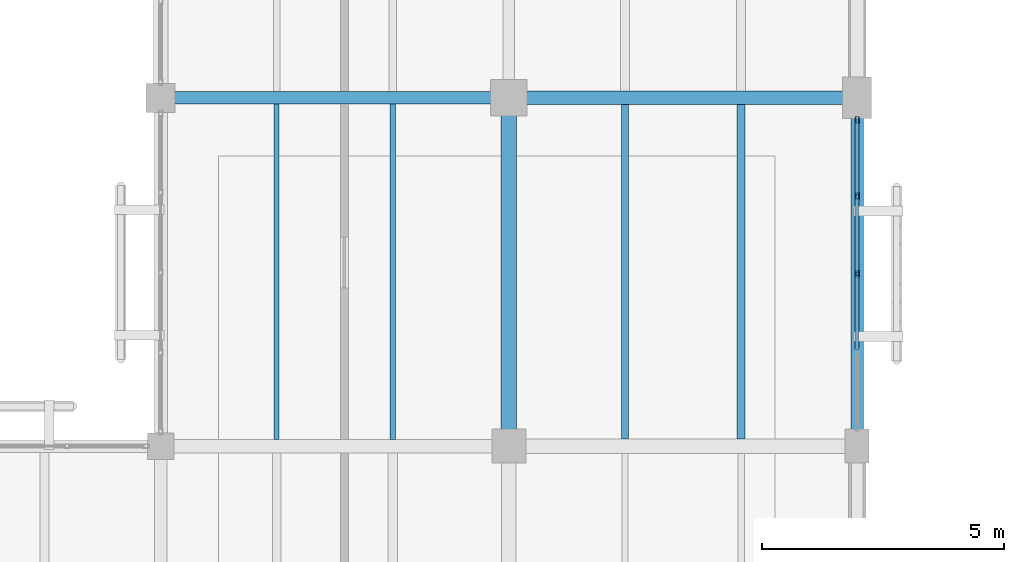
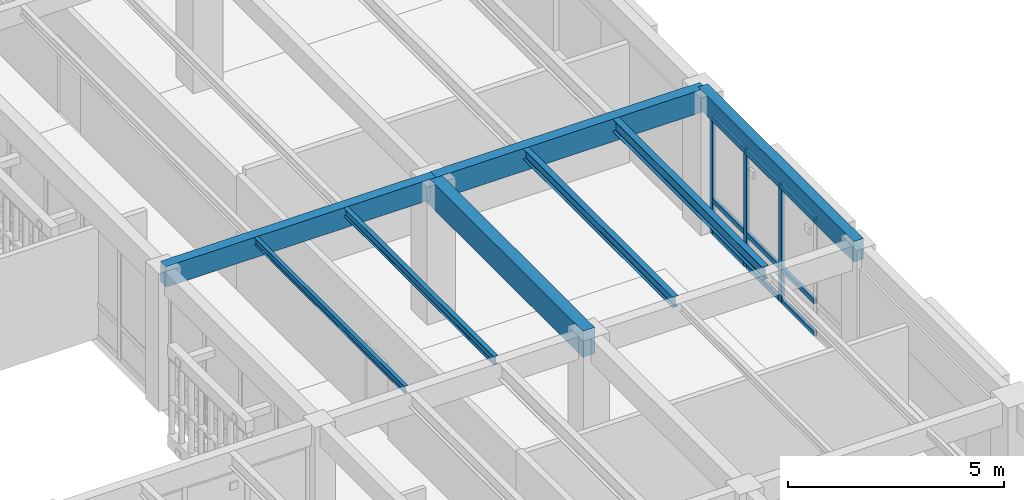
# One storey, part 39 of 170: 12 members, 8 beams, 1 element without a shape of its own.
"""IFC4 building model written with IfcOpenShell, lengths in metres."""

from ifc_helpers import new_model, si_unit, direction, frame, origin, origin_2d, place, context, subcontext, project, spatial, rectangle, hollow_rectangle, i_section, extrude, material, layer, layer_set, material_profile, profile_set, type_object, element, aggregate, save


model = new_model("IFC4")

# Units and contexts
model_context = context("Model", 3, precision=1e-05, world=origin(), true_north=direction((0.0, 1.0)))
body_context = subcontext(model_context, "Body", "Model", "MODEL_VIEW")
ifc_project = project(units=[si_unit("LENGTHUNIT", "METRE"), si_unit("AREAUNIT", "SQUARE_METRE"), si_unit("VOLUMEUNIT", "CUBIC_METRE"), si_unit("PLANEANGLEUNIT", "RADIAN"), si_unit("MASSUNIT", "GRAM", prefix="KILO")], contexts=[model_context])

# Site, building, storey
site_placement = place(None, origin())
site = spatial("IfcSite", under=ifc_project, at=site_placement, CompositionType="ELEMENT")
building_placement = place(site_placement, origin())
building = spatial("IfcBuilding", under=site, at=building_placement, Name="Mazaris Harbour Polytechnic", CompositionType="ELEMENT")
storey_placement = place(building_placement, frame((0.0, 0.0, 5.39990234375)))
storey = spatial("IfcBuildingStorey", under=building, at=storey_placement, Name="L01", CompositionType="ELEMENT", Elevation=5.39990234375)

# Curtain wall, members
ifc_material_1 = material(Name="Anodised Bronze Aluminium and Low-E Glass", Category="aluminium")
ifc_layer = layer(ifc_material_1, 0.159912109375, Name="Anodised Bronze Aluminium and Low-E Glass")
ifc_layer_set = layer_set([ifc_layer], Name="Anodised Bronze Aluminium and Low-E Glass")
curtain_wall_type = type_object("IfcCurtainWallType", Name="Cloister Court Curtain Wall", PredefinedType="NOTDEFINED", material=ifc_layer_set)
curtain_wall_placement = place(storey_placement, origin())
curtain_wall = element("IfcCurtainWall", 1, at=curtain_wall_placement, inside=storey, type_object=curtain_wall_type, Name="V4 L01 Curtain Wall 112", PredefinedType="NOTDEFINED")
ifc_material_2 = material(Name="Anodised Bronze Steel S355", Category="steel")
ifc_material_profile_1 = material_profile(ifc_material_2, hollow_rectangle(XDim=0.080078125, YDim=0.139892578125, WallThickness=0.00634765625, at=origin_2d()), Name="RHS 80x140x6.3")
ifc_profile_set_1 = profile_set([ifc_material_profile_1], Name="Anodised Bronze Steel S355")
member_type_1 = type_object("IfcMemberType", Name="Curtain Mullion RHS80x140", PredefinedType="MULLION", material=ifc_profile_set_1)
member_1_placement = place(storey_placement, frame((43.199951171875, 42.742919921875, 0.0), z_axis=(0.0, 0.0, 1.0), x_axis=(1.0, 0.0, 0.0)))
member_1 = element("IfcMember", 2, at=member_1_placement, type_object=member_type_1, Name="CW-02 mullion 1", PredefinedType="MULLION", context=body_context, shape_type="SweptSolid", body=[
    extrude(hollow_rectangle(XDim=0.080078125, YDim=0.139892578125, WallThickness=0.00634765625, at=origin_2d()), origin(), (0.0, 0.0, 1.0), 3.300048828125),
])
member_2_placement = place(storey_placement, frame((43.199951171875, 41.1728515625, 0.0), z_axis=(0.0, 0.0, 1.0), x_axis=(1.0, 0.0, 0.0)))
member_2 = element("IfcMember", 3, at=member_2_placement, type_object=member_type_1, Name="CW-02 mullion 2", PredefinedType="MULLION", context=body_context, shape_type="SweptSolid", body=[
    extrude(hollow_rectangle(XDim=0.080078125, YDim=0.139892578125, WallThickness=0.00634765625, at=origin_2d()), origin(), (0.0, 0.0, 1.0), 3.300048828125),
])
member_3_placement = place(storey_placement, frame((43.199951171875, 39.5625, 0.0), z_axis=(0.0, 0.0, 1.0), x_axis=(1.0, 0.0, 0.0)))
member_3 = element("IfcMember", 4, at=member_3_placement, type_object=member_type_1, Name="CW-02 mullion 3", PredefinedType="MULLION", context=body_context, shape_type="SweptSolid", body=[
    extrude(hollow_rectangle(XDim=0.080078125, YDim=0.139892578125, WallThickness=0.00634765625, at=origin_2d()), origin(), (0.0, 0.0, 1.0), 3.300048828125),
])
ifc_material_3 = material(Name="Anodised Bronze Steel S355", Category="steel")
ifc_material_profile_2 = material_profile(ifc_material_3, hollow_rectangle(XDim=0.080078125, YDim=0.139892578125, WallThickness=0.00634765625, at=origin_2d()), Name="RHS 80x140x6.3")
ifc_profile_set_2 = profile_set([ifc_material_profile_2], Name="Anodised Bronze Steel S355")
member_type_2 = type_object("IfcMemberType", Name="Curtain Transom RHS80x140", PredefinedType="USERDEFINED", material=ifc_profile_set_2)
member_4_placement = place(storey_placement, frame((43.199951171875, 42.702880859375, 0.0400390625), z_axis=(0.0, -1.0, 0.0), x_axis=(1.0, 0.0, 0.0)))
member_4 = element("IfcMember", 5, at=member_4_placement, type_object=member_type_2, Name="CW-02 transom 1.1", ObjectType="TRANSOM", PredefinedType="USERDEFINED", context=body_context, shape_type="SweptSolid", body=[
    extrude(hollow_rectangle(XDim=0.080078125, YDim=0.139892578125, WallThickness=0.00634765625, at=origin_2d()), origin(), (0.0, 0.0, 1.0), 1.490234375),
])
member_5_placement = place(storey_placement, frame((43.199951171875, 42.702880859375, 0.9501953125), z_axis=(0.0, -1.0, 0.0), x_axis=(1.0, 0.0, 0.0)))
member_5 = element("IfcMember", 6, at=member_5_placement, type_object=member_type_2, Name="CW-02 transom 1.2", ObjectType="TRANSOM", PredefinedType="USERDEFINED", context=body_context, shape_type="SweptSolid", body=[
    extrude(hollow_rectangle(XDim=0.080078125, YDim=0.139892578125, WallThickness=0.00634765625, at=origin_2d()), origin(), (0.0, 0.0, 1.0), 1.490234375),
])
member_6_placement = place(storey_placement, frame((43.199951171875, 42.702880859375, 3.260009765625), z_axis=(0.0, -1.0, 0.0), x_axis=(1.0, 0.0, 0.0)))
member_6 = element("IfcMember", 7, at=member_6_placement, type_object=member_type_2, Name="CW-02 transom 1.3", ObjectType="TRANSOM", PredefinedType="USERDEFINED", context=body_context, shape_type="SweptSolid", body=[
    extrude(hollow_rectangle(XDim=0.080078125, YDim=0.139892578125, WallThickness=0.00634765625, at=origin_2d()), origin(), (0.0, 0.0, 1.0), 1.490234375),
])
member_7_placement = place(storey_placement, frame((43.199951171875, 41.1328125, 0.0400390625), z_axis=(0.0, -1.0, 0.0), x_axis=(1.0, 0.0, 0.0)))
member_7 = element("IfcMember", 8, at=member_7_placement, type_object=member_type_2, Name="CW-02 transom 2.1", ObjectType="TRANSOM", PredefinedType="USERDEFINED", context=body_context, shape_type="SweptSolid", body=[
    extrude(hollow_rectangle(XDim=0.080078125, YDim=0.139892578125, WallThickness=0.00634765625, at=origin_2d()), origin(), (0.0, 0.0, 1.0), 1.5302734375),
])
member_8_placement = place(storey_placement, frame((43.199951171875, 41.1328125, 0.9501953125), z_axis=(0.0, -1.0, 0.0), x_axis=(1.0, 0.0, 0.0)))
member_8 = element("IfcMember", 9, at=member_8_placement, type_object=member_type_2, Name="CW-02 transom 2.2", ObjectType="TRANSOM", PredefinedType="USERDEFINED", context=body_context, shape_type="SweptSolid", body=[
    extrude(hollow_rectangle(XDim=0.080078125, YDim=0.139892578125, WallThickness=0.00634765625, at=origin_2d()), origin(), (0.0, 0.0, 1.0), 1.5302734375),
])
member_9_placement = place(storey_placement, frame((43.199951171875, 41.1328125, 3.260009765625), z_axis=(0.0, -1.0, 0.0), x_axis=(1.0, 0.0, 0.0)))
member_9 = element("IfcMember", 10, at=member_9_placement, type_object=member_type_2, Name="CW-02 transom 2.3", ObjectType="TRANSOM", PredefinedType="USERDEFINED", context=body_context, shape_type="SweptSolid", body=[
    extrude(hollow_rectangle(XDim=0.080078125, YDim=0.139892578125, WallThickness=0.00634765625, at=origin_2d()), origin(), (0.0, 0.0, 1.0), 1.5302734375),
])
member_10_placement = place(storey_placement, frame((43.199951171875, 39.5224609375, 0.0400390625), z_axis=(0.0, -1.0, 0.0), x_axis=(1.0, 0.0, 0.0)))
member_10 = element("IfcMember", 11, at=member_10_placement, type_object=member_type_2, Name="CW-02 transom 3.1", ObjectType="TRANSOM", PredefinedType="USERDEFINED", context=body_context, shape_type="SweptSolid", body=[
    extrude(hollow_rectangle(XDim=0.080078125, YDim=0.139892578125, WallThickness=0.00634765625, at=origin_2d()), origin(), (0.0, 0.0, 1.0), 1.5302734375),
])
member_11_placement = place(storey_placement, frame((43.199951171875, 39.5224609375, 0.9501953125), z_axis=(0.0, -1.0, 0.0), x_axis=(1.0, 0.0, 0.0)))
member_11 = element("IfcMember", 12, at=member_11_placement, type_object=member_type_2, Name="CW-02 transom 3.2", ObjectType="TRANSOM", PredefinedType="USERDEFINED", context=body_context, shape_type="SweptSolid", body=[
    extrude(hollow_rectangle(XDim=0.080078125, YDim=0.139892578125, WallThickness=0.00634765625, at=origin_2d()), origin(), (0.0, 0.0, 1.0), 1.5302734375),
])
member_12_placement = place(storey_placement, frame((43.199951171875, 39.5224609375, 3.260009765625), z_axis=(0.0, -1.0, 0.0), x_axis=(1.0, 0.0, 0.0)))
member_12 = element("IfcMember", 13, at=member_12_placement, type_object=member_type_2, Name="CW-02 transom 3.3", ObjectType="TRANSOM", PredefinedType="USERDEFINED", context=body_context, shape_type="SweptSolid", body=[
    extrude(hollow_rectangle(XDim=0.080078125, YDim=0.139892578125, WallThickness=0.00634765625, at=origin_2d()), origin(), (0.0, 0.0, 1.0), 1.5302734375),
])
aggregate(curtain_wall, [member_1, member_2, member_3, member_4, member_5, member_6, member_7, member_8, member_9, member_10, member_11, member_12])

# Beams
ifc_material_4 = material(Name="Glulam GL32h", Category="wood")
ifc_material_profile_3 = material_profile(ifc_material_4, rectangle(XDim=0.260009765625, YDim=0.580078125, at=origin_2d()), Name="RECT260x580")
ifc_profile_set_3 = profile_set([ifc_material_profile_3], Name="Glulam GL32h")
beam_type_1 = type_object("IfcBeamType", Name="Glulam Girder 260x580", PredefinedType="BEAM", material=ifc_profile_set_3)
beam_1_placement = place(storey_placement, frame((28.800048828125, 43.199951171875, 3.60009765625), z_axis=(1.0, 0.0, 0.0), x_axis=(0.0, 1.0, 0.0)))
element("IfcBeam", 14, at=beam_1_placement, inside=storey, type_object=beam_type_1, Name="V4 L01 Girder 1656", PredefinedType="BEAM", context=body_context, shape_type="SweptSolid", body=[
    extrude(rectangle(XDim=0.260009765625, YDim=0.580078125, at=origin_2d()), origin(), (0.0, 0.0, 1.0), 7.199951171875),
])
ifc_material_5 = material(Name="Glulam GL32h", Category="wood")
ifc_material_profile_4 = material_profile(ifc_material_5, rectangle(XDim=0.260009765625, YDim=0.580078125, at=origin_2d()), Name="RECT260x580")
ifc_profile_set_4 = profile_set([ifc_material_profile_4], Name="Glulam GL32h")
beam_type_2 = type_object("IfcBeamType", Name="Glulam Girder 260x580 Exterior", PredefinedType="BEAM", material=ifc_profile_set_4)
beam_2_placement = place(storey_placement, frame((43.199951171875, 36.0, 3.60009765625), z_axis=(0.0, 1.0, 0.0), x_axis=(-1.0, 0.0, 0.0)))
element("IfcBeam", 15, at=beam_2_placement, inside=storey, type_object=beam_type_2, Name="V4 L01 Tie Girder 1766", PredefinedType="BEAM", context=body_context, shape_type="SweptSolid", body=[
    extrude(rectangle(XDim=0.260009765625, YDim=0.580078125, at=origin_2d()), origin(), (0.0, 0.0, 1.0), 7.199951171875),
])
ifc_material_6 = material(Name="Glulam GL32h", Category="wood")
ifc_material_profile_5 = material_profile(ifc_material_6, rectangle(XDim=0.280029296875, YDim=0.639892578125, at=origin_2d()), Name="RECT280x640")
ifc_profile_set_5 = profile_set([ifc_material_profile_5], Name="Glulam GL32h")
beam_type_3 = type_object("IfcBeamType", Name="Glulam Girder 280x640", PredefinedType="BEAM", material=ifc_profile_set_5)
beam_3_placement = place(storey_placement, frame((36.0, 43.199951171875, 3.570068359375), z_axis=(1.0, 0.0, 0.0), x_axis=(0.0, 1.0, 0.0)))
element("IfcBeam", 16, at=beam_3_placement, inside=storey, type_object=beam_type_3, Name="V4 L01 Girder 1657", PredefinedType="BEAM", context=body_context, shape_type="SweptSolid", body=[
    extrude(rectangle(XDim=0.280029296875, YDim=0.639892578125, at=origin_2d()), origin(), (0.0, 0.0, 1.0), 7.199951171875),
])
ifc_material_7 = material(Name="Glulam GL32h", Category="wood")
ifc_material_profile_6 = material_profile(ifc_material_7, rectangle(XDim=0.320068359375, YDim=0.739990234375, at=origin_2d()), Name="RECT320x740")
ifc_profile_set_6 = profile_set([ifc_material_profile_6], Name="Glulam GL32h")
beam_type_4 = type_object("IfcBeamType", Name="Glulam Girder 320x740", PredefinedType="BEAM", material=ifc_profile_set_6)
beam_4_placement = place(storey_placement, frame((36.0, 36.0, 3.52001953125), z_axis=(0.0, 1.0, 0.0), x_axis=(-1.0, 0.0, 0.0)))
element("IfcBeam", 17, at=beam_4_placement, inside=storey, type_object=beam_type_4, Name="V4 L01 Tie Girder 1754", PredefinedType="BEAM", context=body_context, shape_type="SweptSolid", body=[
    extrude(rectangle(XDim=0.320068359375, YDim=0.739990234375, at=origin_2d()), origin(), (0.0, 0.0, 1.0), 7.199951171875),
])
ifc_material_8 = material(Name="Steel S355", Category="steel")
ifc_material_profile_7 = material_profile(ifc_material_8, i_section(OverallWidth=0.10009765625, OverallDepth=0.199951171875, WebThickness=0.005615234375, FlangeThickness=0.008544921875, FilletRadius=0.011962890625, at=origin_2d()), Name="IPE 200")
ifc_profile_set_7 = profile_set([ifc_material_profile_7], Name="Steel S355")
beam_type_5 = type_object("IfcBeamType", Name="Steel Joist IPE200", PredefinedType="JOIST", material=ifc_profile_set_7)
beam_5_placement = place(storey_placement, frame((31.199951171875, 36.139892578125, 3.7900390625), z_axis=(0.0, 1.0, 0.0), x_axis=(-1.0, 0.0, 0.0)))
element("IfcBeam", 18, at=beam_5_placement, inside=storey, type_object=beam_type_5, Name="V4 L01 Floor Joist 1855", PredefinedType="JOIST", context=body_context, shape_type="SweptSolid", body=[
    extrude(i_section(OverallWidth=0.10009765625, OverallDepth=0.199951171875, WebThickness=0.005615234375, FlangeThickness=0.008544921875, FilletRadius=0.011962890625, at=origin_2d()), origin(), (0.0, 0.0, 1.0), 6.93017578125),
])
ifc_material_9 = material(Name="Steel S355", Category="steel")
ifc_material_profile_8 = material_profile(ifc_material_9, i_section(OverallWidth=0.1201171875, OverallDepth=0.239990234375, WebThickness=0.006103515625, FlangeThickness=0.009765625, FilletRadius=0.014892578125, at=origin_2d()), Name="IPE 240")
ifc_profile_set_8 = profile_set([ifc_material_profile_8], Name="Steel S355")
beam_type_6 = type_object("IfcBeamType", Name="Steel Joist IPE240", PredefinedType="JOIST", material=ifc_profile_set_8)
beam_6_placement = place(storey_placement, frame((33.60009765625, 36.139892578125, 3.77001953125), z_axis=(0.0, 1.0, 0.0), x_axis=(-1.0, 0.0, 0.0)))
element("IfcBeam", 19, at=beam_6_placement, inside=storey, type_object=beam_type_6, Name="V4 L01 Floor Joist 1856", PredefinedType="JOIST", context=body_context, shape_type="SweptSolid", body=[
    extrude(i_section(OverallWidth=0.1201171875, OverallDepth=0.239990234375, WebThickness=0.006103515625, FlangeThickness=0.009765625, FilletRadius=0.014892578125, at=origin_2d()), origin(), (0.0, 0.0, 1.0), 6.93017578125),
])
ifc_material_10 = material(Name="Steel S355", Category="steel")
ifc_material_profile_9 = material_profile(ifc_material_10, i_section(OverallWidth=0.14990234375, OverallDepth=0.300048828125, WebThickness=0.007080078125, FlangeThickness=0.0107421875, FilletRadius=0.014892578125, at=origin_2d()), Name="IPE 300")
ifc_profile_set_9 = profile_set([ifc_material_profile_9], Name="Steel S355")
beam_type_7 = type_object("IfcBeamType", Name="Steel Joist IPE300", PredefinedType="JOIST", material=ifc_profile_set_9)
beam_7_placement = place(storey_placement, frame((38.39990234375, 36.14990234375, 3.739990234375), z_axis=(0.0, 1.0, 0.0), x_axis=(-1.0, 0.0, 0.0)))
element("IfcBeam", 20, at=beam_7_placement, inside=storey, type_object=beam_type_7, Name="V4 L01 Floor Joist 1879", PredefinedType="JOIST", context=body_context, shape_type="SweptSolid", body=[
    extrude(i_section(OverallWidth=0.14990234375, OverallDepth=0.300048828125, WebThickness=0.007080078125, FlangeThickness=0.0107421875, FilletRadius=0.014892578125, at=origin_2d()), origin(), (0.0, 0.0, 1.0), 6.91015625),
])
ifc_material_11 = material(Name="Steel S355", Category="steel")
ifc_material_profile_10 = material_profile(ifc_material_11, i_section(OverallWidth=0.169921875, OverallDepth=0.360107421875, WebThickness=0.008056640625, FlangeThickness=0.0126953125, FilletRadius=0.01806640625, at=origin_2d()), Name="IPE 360")
ifc_profile_set_10 = profile_set([ifc_material_profile_10], Name="Steel S355")
beam_type_8 = type_object("IfcBeamType", Name="Steel Joist IPE360", PredefinedType="JOIST", material=ifc_profile_set_10)
beam_8_placement = place(storey_placement, frame((40.800048828125, 36.14990234375, 3.710205078125), z_axis=(0.0, 1.0, 0.0), x_axis=(-1.0, 0.0, 0.0)))
element("IfcBeam", 21, at=beam_8_placement, inside=storey, type_object=beam_type_8, Name="V4 L01 Floor Joist 1880", PredefinedType="JOIST", context=body_context, shape_type="SweptSolid", body=[
    extrude(i_section(OverallWidth=0.169921875, OverallDepth=0.360107421875, WebThickness=0.008056640625, FlangeThickness=0.0126953125, FilletRadius=0.01806640625, at=origin_2d()), origin(), (0.0, 0.0, 1.0), 6.91015625),
])

save(model, "model.ifc")
